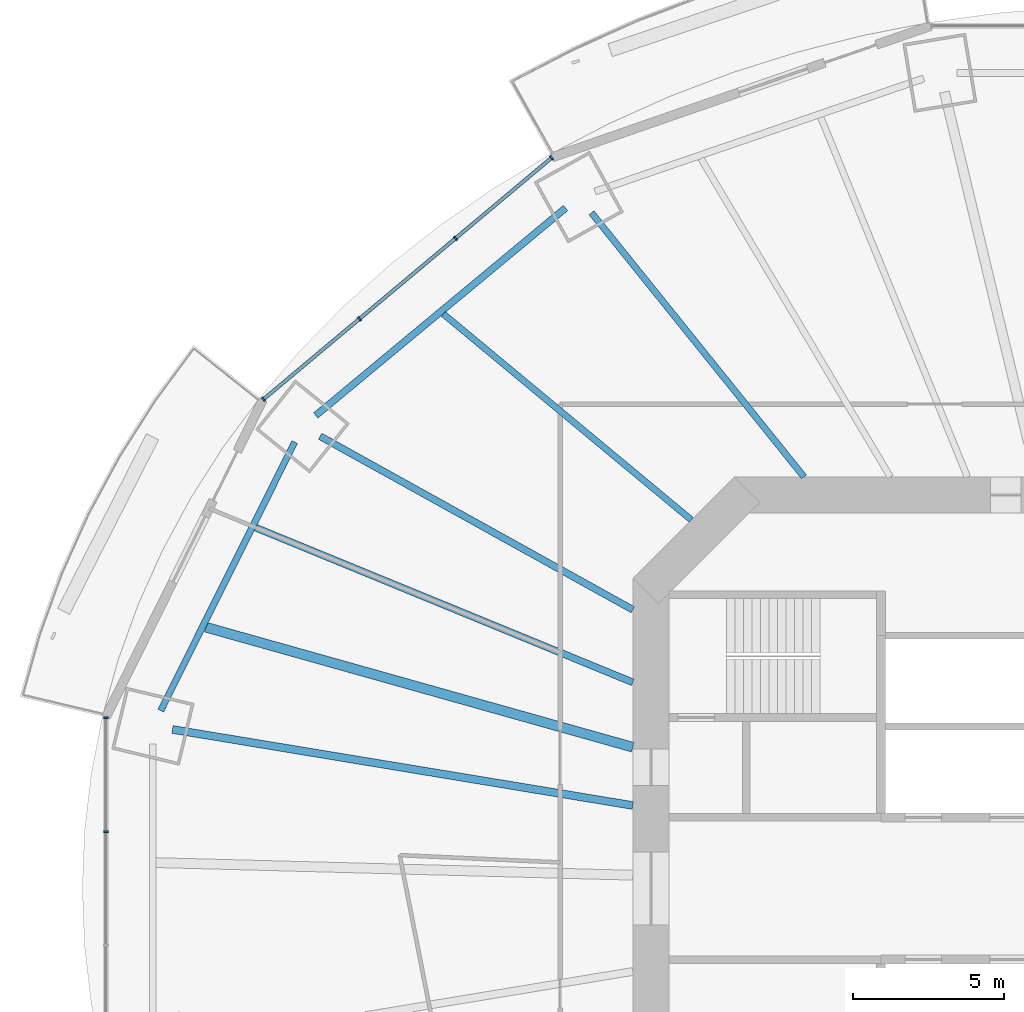
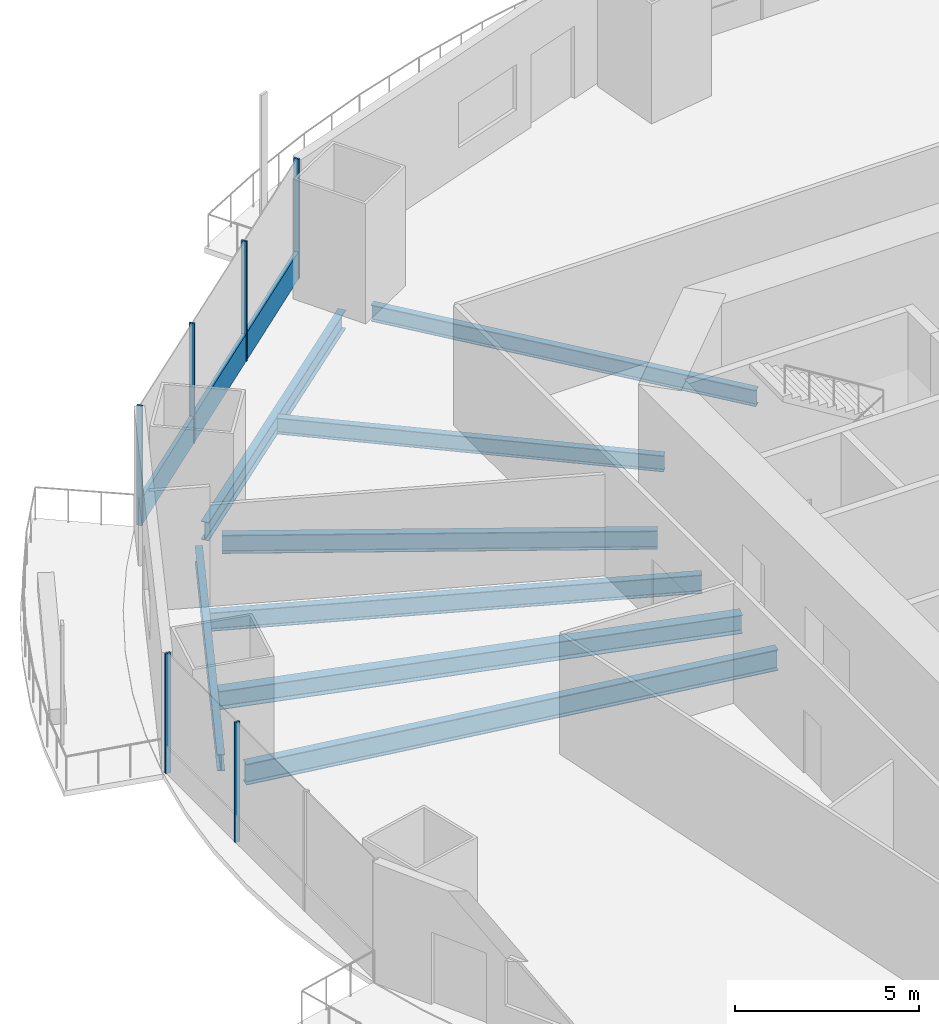
# One storey, part 6 of 22: 8 beams, 7 members, 2 elements without a shape of their own.
"""IFC4 building model written with IfcOpenShell, lengths in metres."""

from ifc_helpers import new_model, si_unit, direction, frame, origin, origin_2d, place, context, subcontext, project, spatial, rectangle, i_section, extrude, material, material_profile, profile_set, type_object, element, aggregate, save


model = new_model("IFC4")

# Units and contexts
model_context = context("Model", 3, precision=1e-05, world=origin(), true_north=direction((0.0, 1.0)))
body_context = subcontext(model_context, "Body", "Model", "MODEL_VIEW")
ifc_project = project(units=[si_unit("LENGTHUNIT", "METRE"), si_unit("AREAUNIT", "SQUARE_METRE"), si_unit("VOLUMEUNIT", "CUBIC_METRE"), si_unit("PLANEANGLEUNIT", "RADIAN"), si_unit("MASSUNIT", "GRAM", prefix="KILO")], contexts=[model_context])

# Site, building, storey
site_placement = place(None, origin())
site = spatial("IfcSite", under=ifc_project, at=site_placement, CompositionType="ELEMENT")
building_placement = place(site_placement, origin())
building = spatial("IfcBuilding", under=site, at=building_placement, Name="Marenthal Gate Tower", CompositionType="ELEMENT")
storey_placement = place(building_placement, frame((0.0, 0.0, 95.25)))
storey = spatial("IfcBuildingStorey", under=building, at=storey_placement, Name="L19", CompositionType="ELEMENT", Elevation=95.25)

# Curtain wall, members
ifc_material_1 = material(Name="Aluminium and glass", Category="aluminium")
curtain_wall_type = type_object("IfcCurtainWallType", Name="Curtain wall typical low", PredefinedType="NOTDEFINED", material=ifc_material_1)
curtain_wall_1_placement = place(storey_placement, origin())
curtain_wall_1 = element("IfcCurtainWall", 1, at=curtain_wall_1_placement, inside=storey, type_object=curtain_wall_type, Name="Curtain wall L19 bay 6", PredefinedType="NOTDEFINED")
ifc_material_2 = material(Name="Aluminium", Category="aluminium")
ifc_material_profile_1 = material_profile(ifc_material_2, rectangle(XDim=0.159912109375, YDim=0.06005859375, at=origin_2d()), Name="60x160 aluminium mullion")
ifc_profile_set_1 = profile_set([ifc_material_profile_1], Name="Aluminium")
member_type_1 = type_object("IfcMemberType", Name="Mullion 60x160 typical low", PredefinedType="MULLION", material=ifc_profile_set_1)
member_1_placement = place(storey_placement, frame((-19.283447265625, 24.137451171875, 0.0), z_axis=(0.0, 0.0, 1.0), x_axis=(0.642307658805, -0.766446913648, 0.0)))
member_1 = element("IfcMember", 2, at=member_1_placement, type_object=member_type_1, Name="Mullion L19 bay 6.1", PredefinedType="MULLION", context=body_context, shape_type="SweptSolid", body=[
    extrude(rectangle(XDim=0.159912109375, YDim=0.06005859375, at=origin_2d()), origin(), (0.0, 0.0, 1.0), 3.969970703125),
])
member_2_placement = place(storey_placement, frame((-22.45654296875, 21.478515625, 0.0), z_axis=(0.0, 0.0, 1.0), x_axis=(0.642307658805, -0.766446913648, 0.0)))
member_2 = element("IfcMember", 3, at=member_2_placement, type_object=member_type_1, Name="Mullion L19 bay 6.2", PredefinedType="MULLION", context=body_context, shape_type="SweptSolid", body=[
    extrude(rectangle(XDim=0.159912109375, YDim=0.06005859375, at=origin_2d()), origin(), (0.0, 0.0, 1.0), 3.969970703125),
])
member_3_placement = place(storey_placement, frame((-25.62939453125, 18.8193359375, 0.0), z_axis=(0.0, 0.0, 1.0), x_axis=(0.642307658805, -0.766446913648, 0.0)))
member_3 = element("IfcMember", 4, at=member_3_placement, type_object=member_type_1, Name="Mullion L19 bay 6.3", PredefinedType="MULLION", context=body_context, shape_type="SweptSolid", body=[
    extrude(rectangle(XDim=0.159912109375, YDim=0.06005859375, at=origin_2d()), origin(), (0.0, 0.0, 1.0), 3.969970703125),
])
member_4_placement = place(storey_placement, frame((-28.802490234375, 16.160400390625, 0.0), z_axis=(0.0, 0.0, 1.0), x_axis=(0.642307658805, -0.766446913648, 0.0)))
member_4 = element("IfcMember", 5, at=member_4_placement, type_object=member_type_1, Name="Mullion L19 bay 6.4", PredefinedType="MULLION", context=body_context, shape_type="SweptSolid", body=[
    extrude(rectangle(XDim=0.159912109375, YDim=0.06005859375, at=origin_2d()), origin(), (0.0, 0.0, 1.0), 3.969970703125),
])

curtain_wall_2_placement = place(storey_placement, origin())
curtain_wall_2 = element("IfcCurtainWall", 6, at=curtain_wall_2_placement, inside=storey, type_object=curtain_wall_type, Name="Curtain wall L19 bay 8", PredefinedType="NOTDEFINED")
member_5_placement = place(storey_placement, frame((-34.001953125, 5.637939453125, 0.0), z_axis=(0.0, 0.0, 1.0), x_axis=(1.0, 0.0, 0.0)))
member_5 = element("IfcMember", 7, at=member_5_placement, type_object=member_type_1, Name="Mullion L19 bay 8.1", PredefinedType="MULLION", context=body_context, shape_type="SweptSolid", body=[
    extrude(rectangle(XDim=0.159912109375, YDim=0.06005859375, at=origin_2d()), origin(), (0.0, 0.0, 1.0), 3.969970703125),
])
member_6_placement = place(storey_placement, frame((-34.001953125, 1.87939453125, 0.0), z_axis=(0.0, 0.0, 1.0), x_axis=(1.0, 0.0, 0.0)))
member_6 = element("IfcMember", 8, at=member_6_placement, type_object=member_type_1, Name="Mullion L19 bay 8.2", PredefinedType="MULLION", context=body_context, shape_type="SweptSolid", body=[
    extrude(rectangle(XDim=0.159912109375, YDim=0.06005859375, at=origin_2d()), origin(), (0.0, 0.0, 1.0), 3.969970703125),
])
aggregate(curtain_wall_2, [member_5, member_6])

# Member
ifc_material_3 = material(Name="Aluminium", Category="aluminium")
ifc_material_profile_2 = material_profile(ifc_material_3, rectangle(XDim=0.1201171875, YDim=0.89990234375, at=origin_2d()), Name="120x900 aluminium transom")
ifc_profile_set_2 = profile_set([ifc_material_profile_2], Name="Aluminium")
member_type_2 = type_object("IfcMemberType", Name="Transom 120x900 typical low", PredefinedType="USERDEFINED", material=ifc_profile_set_2)
member_7_placement = place(storey_placement, frame((-19.306396484375, 24.1181640625, 0.449951171875), z_axis=(-0.766442158037, -0.642313333494, 0.0), x_axis=(0.642313333494, -0.766442158037, 0.0)))
member_7 = element("IfcMember", 9, at=member_7_placement, type_object=member_type_2, Name="Transom L19 bay 6", ObjectType="TRANSOM", PredefinedType="USERDEFINED", context=body_context, shape_type="SweptSolid", body=[
    extrude(rectangle(XDim=0.1201171875, YDim=0.89990234375, at=origin_2d()), origin(), (0.0, 0.0, 1.0), 12.359619140625),
])

aggregate(curtain_wall_1, [member_1, member_2, member_3, member_4, member_7])

# Beams
ifc_material_4 = material(Name="Steel S355", Category="steel")
ifc_material_profile_3 = material_profile(ifc_material_4, i_section(OverallWidth=0.2099609375, OverallDepth=0.535888671875, WebThickness=0.010986328125, FlangeThickness=0.017333984375, FilletRadius=0.0126953125, at=origin_2d()), Name="W530X101")
ifc_profile_set_3 = profile_set([ifc_material_profile_3], Name="Steel S355")
beam_type_1 = type_object("IfcBeamType", Name="W530X101 beam", PredefinedType="BEAM", material=ifc_profile_set_3)
beam_1_placement = place(storey_placement, frame((-22.857666015625, 18.978759765625, -0.447998046875), z_axis=(0.769368830907, -0.63880482311, 0.0), x_axis=(0.63880482311, 0.769368830907, 0.0)))
element("IfcBeam", 10, at=beam_1_placement, inside=storey, type_object=beam_type_1, Name="BM-L19-25", PredefinedType="BEAM", context=body_context, shape_type="SweptSolid", body=[
    extrude(i_section(OverallWidth=0.2099609375, OverallDepth=0.535888671875, WebThickness=0.010986328125, FlangeThickness=0.017333984375, FilletRadius=0.0126953125, at=origin_2d()), origin(), (0.0, 0.0, 1.0), 10.643310546875),
])
ifc_material_5 = material(Name="Steel S355", Category="steel")
ifc_material_profile_4 = material_profile(ifc_material_5, i_section(OverallWidth=0.2119140625, OverallDepth=0.5439453125, WebThickness=0.01318359375, FlangeThickness=0.021240234375, FilletRadius=0.0126953125, at=origin_2d()), Name="W530X123")
ifc_profile_set_4 = profile_set([ifc_material_profile_4], Name="Steel S355")
beam_type_2 = type_object("IfcBeamType", Name="W530X123 beam", PredefinedType="BEAM", material=ifc_profile_set_4)
beam_2_placement = place(storey_placement, frame((-17.964599609375, 22.3232421875, -0.451904296875), z_axis=(0.626952602909, -0.779057400777, 0.0), x_axis=(0.779057400777, 0.626952602909, 0.0)))
element("IfcBeam", 11, at=beam_2_placement, inside=storey, type_object=beam_type_2, Name="BM-L19-06", PredefinedType="BEAM", context=body_context, shape_type="SweptSolid", body=[
    extrude(i_section(OverallWidth=0.2119140625, OverallDepth=0.5439453125, WebThickness=0.01318359375, FlangeThickness=0.021240234375, FilletRadius=0.0126953125, at=origin_2d()), origin(), (0.0, 0.0, 1.0), 11.197021484375),
])
beam_3_placement = place(storey_placement, frame((-27.768310546875, 14.748779296875, -0.451904296875), z_axis=(-0.446405750938, -0.89483065746, 0.0), x_axis=(0.89483065746, -0.446405750938, 0.0)))
element("IfcBeam", 12, at=beam_3_placement, inside=storey, type_object=beam_type_2, Name="BM-L19-47", PredefinedType="BEAM", context=body_context, shape_type="SweptSolid", body=[
    extrude(i_section(OverallWidth=0.2119140625, OverallDepth=0.5439453125, WebThickness=0.01318359375, FlangeThickness=0.021240234375, FilletRadius=0.0126953125, at=origin_2d()), origin(), (0.0, 0.0, 1.0), 9.914794921875),
])
ifc_material_6 = material(Name="Steel S355", Category="steel")
ifc_material_profile_5 = material_profile(ifc_material_6, i_section(OverallWidth=0.22900390625, OverallDepth=0.612060546875, WebThickness=0.011962890625, FlangeThickness=0.01953125, FilletRadius=0.0126953125, at=origin_2d()), Name="W610X125")
ifc_profile_set_5 = profile_set([ifc_material_profile_5], Name="Steel S355")
beam_type_3 = type_object("IfcBeamType", Name="W610X125 beam", PredefinedType="BEAM", material=ifc_profile_set_5)
beam_4_placement = place(storey_placement, frame((-26.928466796875, 14.939697265625, -0.486083984375), z_axis=(0.874435979354, -0.485140925929, 0.0), x_axis=(0.485140925929, 0.874435979354, 0.0)))
element("IfcBeam", 13, at=beam_4_placement, inside=storey, type_object=beam_type_3, Name="BM-L19-07", PredefinedType="BEAM", context=body_context, shape_type="SweptSolid", body=[
    extrude(i_section(OverallWidth=0.22900390625, OverallDepth=0.612060546875, WebThickness=0.011962890625, FlangeThickness=0.01953125, FilletRadius=0.0126953125, at=origin_2d()), origin(), (0.0, 0.0, 1.0), 11.8115234375),
])
beam_5_placement = place(storey_placement, frame((-29.060302734375, 11.921630859375, -0.486083984375), z_axis=(0.925176615925, -0.379536861642, 0.0), x_axis=(0.379536861642, 0.925176615925, 0.0)))
element("IfcBeam", 14, at=beam_5_placement, inside=storey, type_object=beam_type_3, Name="BM-L19-26", PredefinedType="BEAM", context=body_context, shape_type="SweptSolid", body=[
    extrude(i_section(OverallWidth=0.22900390625, OverallDepth=0.612060546875, WebThickness=0.011962890625, FlangeThickness=0.01953125, FilletRadius=0.0126953125, at=origin_2d()), origin(), (0.0, 0.0, 1.0), 13.468017578125),
])
beam_6_placement = place(storey_placement, frame((-18.820068359375, 22.479736328125, -0.486083984375), z_axis=(-0.769369356562, -0.638804190017, 0.0), x_axis=(0.638804190017, -0.769369356562, 0.0)))
element("IfcBeam", 15, at=beam_6_placement, inside=storey, type_object=beam_type_3, Name="BM-L19-46", PredefinedType="BEAM", context=body_context, shape_type="SweptSolid", body=[
    extrude(i_section(OverallWidth=0.22900390625, OverallDepth=0.612060546875, WebThickness=0.011962890625, FlangeThickness=0.01953125, FilletRadius=0.0126953125, at=origin_2d()), origin(), (0.0, 0.0, 1.0), 10.7255859375),
])
ifc_material_7 = material(Name="Steel S355", Category="steel")
ifc_material_profile_6 = material_profile(ifc_material_7, i_section(OverallWidth=0.324951171875, OverallDepth=0.612060546875, WebThickness=0.0126953125, FlangeThickness=0.01904296875, FilletRadius=0.0126953125, at=origin_2d()), Name="W610X155")
ifc_profile_set_6 = profile_set([ifc_material_profile_6], Name="Steel S355")
beam_type_4 = type_object("IfcBeamType", Name="W610X155 beam", PredefinedType="BEAM", material=ifc_profile_set_6)
beam_7_placement = place(storey_placement, frame((-30.701416015625, 8.631591796875, -0.486083984375), z_axis=(0.962675778396, -0.270657247621, 0.0), x_axis=(0.270657247621, 0.962675778396, 0.0)))
element("IfcBeam", 16, at=beam_7_placement, inside=storey, type_object=beam_type_4, Name="BM-L19-27", PredefinedType="BEAM", context=body_context, shape_type="SweptSolid", body=[
    extrude(i_section(OverallWidth=0.324951171875, OverallDepth=0.612060546875, WebThickness=0.0126953125, FlangeThickness=0.01904296875, FilletRadius=0.0126953125, at=origin_2d()), origin(), (0.0, 0.0, 1.0), 14.64794921875),
])
ifc_material_8 = material(Name="Steel S355", Category="steel")
ifc_material_profile_7 = material_profile(ifc_material_8, i_section(OverallWidth=0.257080078125, OverallDepth=0.693115234375, WebThickness=0.014404296875, FlangeThickness=0.023681640625, FilletRadius=0.015380859375, at=origin_2d()), Name="W690X170")
ifc_profile_set_7 = profile_set([ifc_material_profile_7], Name="Steel S355")
beam_type_5 = type_object("IfcBeamType", Name="W690X170 beam", PredefinedType="BEAM", material=ifc_profile_set_7)
beam_8_placement = place(storey_placement, frame((-31.80810546875, 5.25341796875, -0.526611328125), z_axis=(0.986634295721, -0.162950196404, 0.0), x_axis=(0.162950196404, 0.986634295721, 0.0)))
element("IfcBeam", 17, at=beam_8_placement, inside=storey, type_object=beam_type_5, Name="BM-L19-08", PredefinedType="BEAM", context=body_context, shape_type="SweptSolid", body=[
    extrude(i_section(OverallWidth=0.257080078125, OverallDepth=0.693115234375, WebThickness=0.014404296875, FlangeThickness=0.023681640625, FilletRadius=0.015380859375, at=origin_2d()), origin(), (0.0, 0.0, 1.0), 15.4140625),
])

save(model, "model.ifc")
